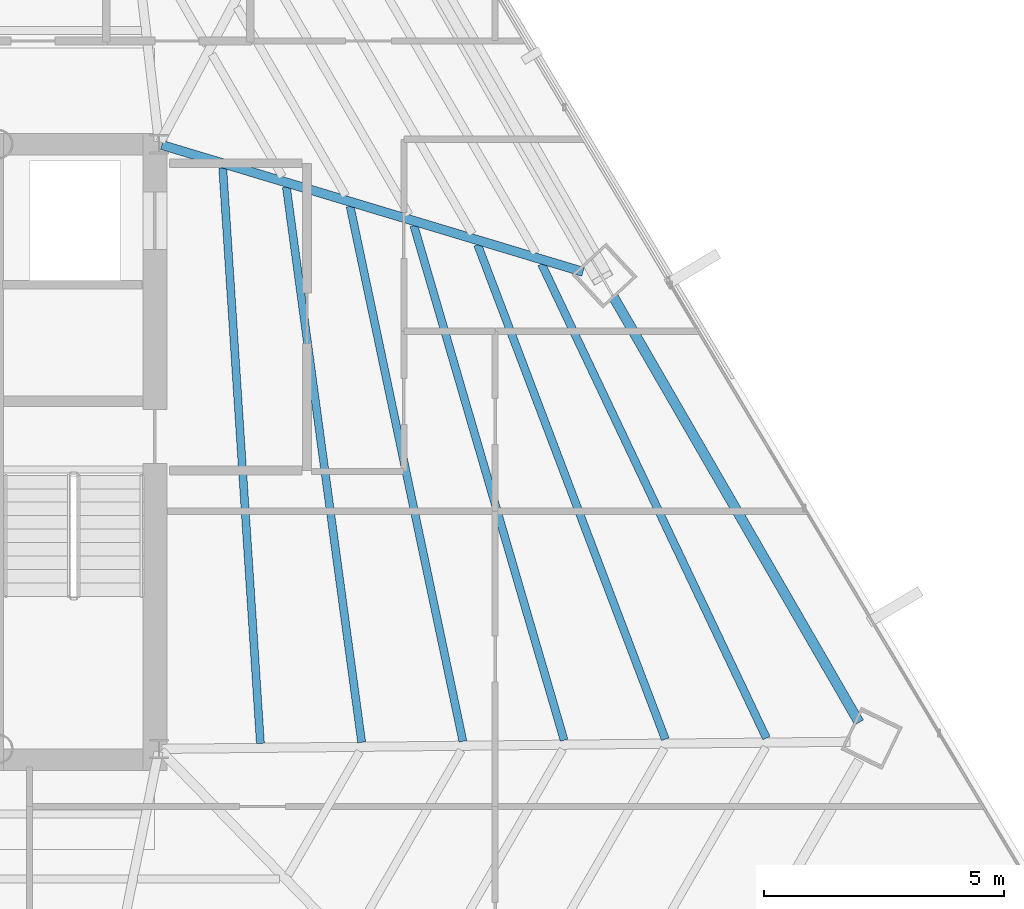
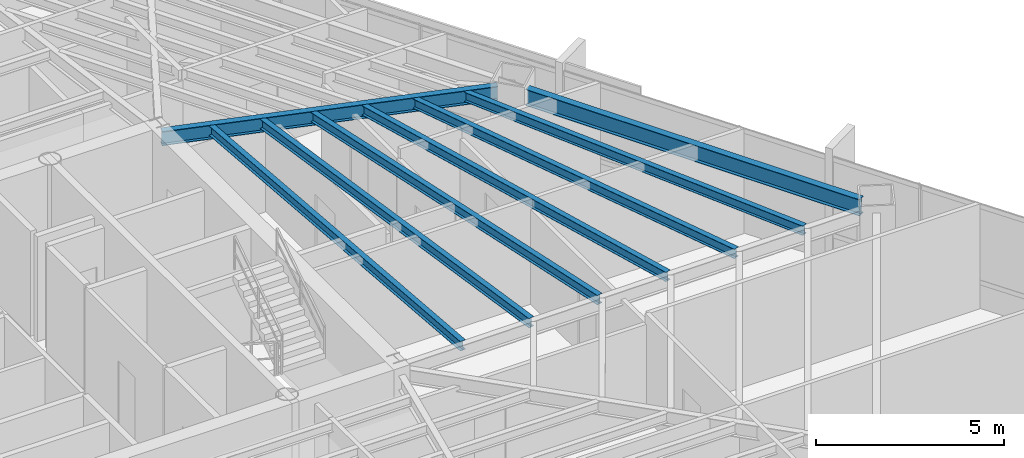
# One storey, part 22 of 41: 8 beams.
"""IFC4 building model written with IfcOpenShell, lengths in metres."""

from ifc_helpers import new_model, si_unit, direction, frame, origin, origin_2d, place, context, subcontext, project, spatial, i_section, extrude, source, transform, mapped, material, material_profile, profile_set, type_object, type_shapes, element, save


model = new_model("IFC4")

# Units and contexts
model_context = context("Model", 3, precision=1e-05, world=origin(), true_north=direction((0.0, 1.0)))
body_context = subcontext(model_context, "Body", "Model", "MODEL_VIEW")
ifc_project = project(units=[si_unit("LENGTHUNIT", "METRE"), si_unit("AREAUNIT", "SQUARE_METRE"), si_unit("VOLUMEUNIT", "CUBIC_METRE"), si_unit("PLANEANGLEUNIT", "RADIAN"), si_unit("MASSUNIT", "GRAM", prefix="KILO")], contexts=[model_context])

# Site, building, storey
site_placement = place(None, origin())
site = spatial("IfcSite", under=ifc_project, at=site_placement, CompositionType="ELEMENT")
building_placement = place(site_placement, origin())
building = spatial("IfcBuilding", under=site, at=building_placement, Name="Caelisora Broadcast Tower", CompositionType="ELEMENT")
storey_placement = place(building_placement, frame((0.0, 0.0, 180.39990234375)))
storey = spatial("IfcBuildingStorey", under=building, at=storey_placement, Name="L47", CompositionType="ELEMENT", Elevation=180.39990234375)

# Beams
ifc_material = material(Name="Steel Grade 350 (AS/NZS 3679.1)", Category="steel")
ifc_material_profile_1 = material_profile(ifc_material, i_section(OverallWidth=0.208984375, OverallDepth=0.532958984375, WebThickness=0.01025390625, FlangeThickness=0.015625, at=origin_2d()), Name="Steel Grade 350 (AS/NZS 3679.1)")
ifc_profile_set_1 = profile_set([ifc_material_profile_1], Name="Steel Grade 350 (AS/NZS 3679.1)")
beam_type_1 = type_object("IfcBeamType", Name="PG05", PredefinedType="BEAM", material=ifc_profile_set_1)
shared_shape_1 = source(origin(), body_context, "Body", "SweptSolid", [
    extrude(i_section(OverallWidth=0.208984375, OverallDepth=0.532958984375, WebThickness=0.01025390625, FlangeThickness=0.015625, at=origin_2d()), origin(), (0.0, 0.0, 1.0), 10.239501953125),
])
type_shapes(beam_type_1, [shared_shape_1])
beam_1_placement = place(storey_placement, frame((60.083740234375, 17.9521484375, 3.133544921875), z_axis=(-0.500008646395, 0.866020411728, 0.0), x_axis=(-0.866020411728, -0.500008646395, 0.0)))
element("IfcBeam", 1, at=beam_1_placement, inside=storey, type_object=beam_type_1, Name="L47 beam PG05", PredefinedType="BEAM", context=body_context, shape_type="MappedRepresentation", body=[
    mapped(shared_shape_1, transform((0.0, 0.0, 0.0), scale=1.0)),
])
ifc_material_profile_2 = material_profile(ifc_material, i_section(OverallWidth=0.19091796875, OverallDepth=0.46044921875, WebThickness=0.010009765625, FlangeThickness=0.01611328125, at=origin_2d()), Name="Steel Grade 350 (AS/NZS 3679.1)")
ifc_profile_set_2 = profile_set([ifc_material_profile_2], Name="Steel Grade 350 (AS/NZS 3679.1)")
beam_type_2 = type_object("IfcBeamType", Name="PG06", PredefinedType="BEAM", material=ifc_profile_set_2)
shared_shape_2 = source(origin(), body_context, "Body", "SweptSolid", [
    extrude(i_section(OverallWidth=0.19091796875, OverallDepth=0.46044921875, WebThickness=0.010009765625, FlangeThickness=0.01611328125, at=origin_2d()), origin(), (0.0, 0.0, 1.0), 9.163818359375),
])
type_shapes(beam_type_2, [shared_shape_2])
beam_2_placement = place(storey_placement, frame((45.557373046875, 29.982666015625, 3.169921875), z_axis=(0.957495690128, -0.288447574764, 0.0), x_axis=(0.288447574764, 0.957495690128, 0.0)))
element("IfcBeam", 2, at=beam_2_placement, inside=storey, type_object=beam_type_2, Name="L47 beam PG06", PredefinedType="BEAM", context=body_context, shape_type="MappedRepresentation", body=[
    mapped(shared_shape_2, transform((0.0, 0.0, 0.0), scale=1.0)),
])
ifc_material_profile_3 = material_profile(ifc_material, i_section(OverallWidth=0.166015625, OverallDepth=0.30712890625, WebThickness=0.006591796875, FlangeThickness=0.01171875, at=origin_2d()), Name="Steel Grade 350 (AS/NZS 3679.1)")
ifc_profile_set_3 = profile_set([ifc_material_profile_3], Name="Steel Grade 350 (AS/NZS 3679.1)")
beam_type_3 = type_object("IfcBeamType", Name="SB03", PredefinedType="JOIST", material=ifc_profile_set_3)
shared_shape_3 = source(origin(), body_context, "Body", "SweptSolid", [
    extrude(i_section(OverallWidth=0.166015625, OverallDepth=0.30712890625, WebThickness=0.006591796875, FlangeThickness=0.01171875, at=origin_2d()), origin(), (0.0, 0.0, 1.0), 12.01513671875),
])
beam_3_placement = place(storey_placement, frame((47.610107421875, 17.514404296875, 3.24658203125), z_axis=(-0.065286308005, 0.997866573239, 0.0), x_axis=(-0.997866573239, -0.065286308005, 0.0)))
element("IfcBeam", 3, at=beam_3_placement, inside=storey, type_object=beam_type_3, Name="L47 beam SB03", PredefinedType="JOIST", context=body_context, shape_type="MappedRepresentation", body=[
    mapped(shared_shape_3, transform((0.0, 0.0, 0.0), scale=1.0)),
])
shared_shape_4 = source(origin(), body_context, "Body", "SweptSolid", [
    extrude(i_section(OverallWidth=0.166015625, OverallDepth=0.30712890625, WebThickness=0.006591796875, FlangeThickness=0.01171875, at=origin_2d()), origin(), (0.0, 0.0, 1.0), 11.673583984375),
])
beam_4_placement = place(storey_placement, frame((49.719970703125, 17.536376953125, 3.24658203125), z_axis=(-0.134329213825, 0.990936759997, 0.0), x_axis=(-0.990936759997, -0.134329213825, 0.0)))
element("IfcBeam", 4, at=beam_4_placement, inside=storey, type_object=beam_type_3, Name="L47 beam SB03", PredefinedType="JOIST", context=body_context, shape_type="MappedRepresentation", body=[
    mapped(shared_shape_4, transform((0.0, 0.0, 0.0), scale=1.0)),
])
shared_shape_5 = source(origin(), body_context, "Body", "SweptSolid", [
    extrude(i_section(OverallWidth=0.166015625, OverallDepth=0.30712890625, WebThickness=0.006591796875, FlangeThickness=0.01171875, at=origin_2d()), origin(), (0.0, 0.0, 1.0), 11.39111328125),
])
beam_5_placement = place(storey_placement, frame((51.829345703125, 17.558349609375, 3.24658203125), z_axis=(-0.20631075595, 0.978486521103, 0.0), x_axis=(-0.978486521103, -0.20631075595, 0.0)))
element("IfcBeam", 5, at=beam_5_placement, inside=storey, type_object=beam_type_3, Name="L47 beam SB03", PredefinedType="JOIST", context=body_context, shape_type="MappedRepresentation", body=[
    mapped(shared_shape_5, transform((0.0, 0.0, 0.0), scale=1.0)),
])
shared_shape_6 = source(origin(), body_context, "Body", "SweptSolid", [
    extrude(i_section(OverallWidth=0.166015625, OverallDepth=0.30712890625, WebThickness=0.006591796875, FlangeThickness=0.01171875, at=origin_2d()), origin(), (0.0, 0.0, 1.0), 11.17138671875),
])
beam_6_placement = place(storey_placement, frame((53.93798828125, 17.580078125, 3.24658203125), z_axis=(-0.280212309376, 0.959938050956, 0.0), x_axis=(-0.959938050956, -0.280212309376, 0.0)))
element("IfcBeam", 6, at=beam_6_placement, inside=storey, type_object=beam_type_3, Name="L47 beam SB03", PredefinedType="JOIST", context=body_context, shape_type="MappedRepresentation", body=[
    mapped(shared_shape_6, transform((0.0, 0.0, 0.0), scale=1.0)),
])
shared_shape_7 = source(origin(), body_context, "Body", "SweptSolid", [
    extrude(i_section(OverallWidth=0.166015625, OverallDepth=0.30712890625, WebThickness=0.006591796875, FlangeThickness=0.01171875, at=origin_2d()), origin(), (0.0, 0.0, 1.0), 11.01806640625),
])
beam_7_placement = place(storey_placement, frame((56.046142578125, 17.60205078125, 3.24658203125), z_axis=(-0.354777806598, 0.934950644657, 0.0), x_axis=(-0.934950644657, -0.354777806598, 0.0)))
element("IfcBeam", 7, at=beam_7_placement, inside=storey, type_object=beam_type_3, Name="L47 beam SB03", PredefinedType="JOIST", context=body_context, shape_type="MappedRepresentation", body=[
    mapped(shared_shape_7, transform((0.0, 0.0, 0.0), scale=1.0)),
])
shared_shape_8 = source(origin(), body_context, "Body", "SweptSolid", [
    extrude(i_section(OverallWidth=0.166015625, OverallDepth=0.30712890625, WebThickness=0.006591796875, FlangeThickness=0.01171875, at=origin_2d()), origin(), (0.0, 0.0, 1.0), 10.932373046875),
])
type_shapes(beam_type_3, [shared_shape_3, shared_shape_4, shared_shape_5, shared_shape_6, shared_shape_7, shared_shape_8])
beam_8_placement = place(storey_placement, frame((58.15380859375, 17.624267578125, 3.24658203125), z_axis=(-0.428546110992, 0.903519911653, 0.0), x_axis=(-0.903519911653, -0.428546110992, 0.0)))
element("IfcBeam", 8, at=beam_8_placement, inside=storey, type_object=beam_type_3, Name="L47 beam SB03", PredefinedType="JOIST", context=body_context, shape_type="MappedRepresentation", body=[
    mapped(shared_shape_8, transform((0.0, 0.0, 0.0), scale=1.0)),
])

save(model, "model.ifc")
